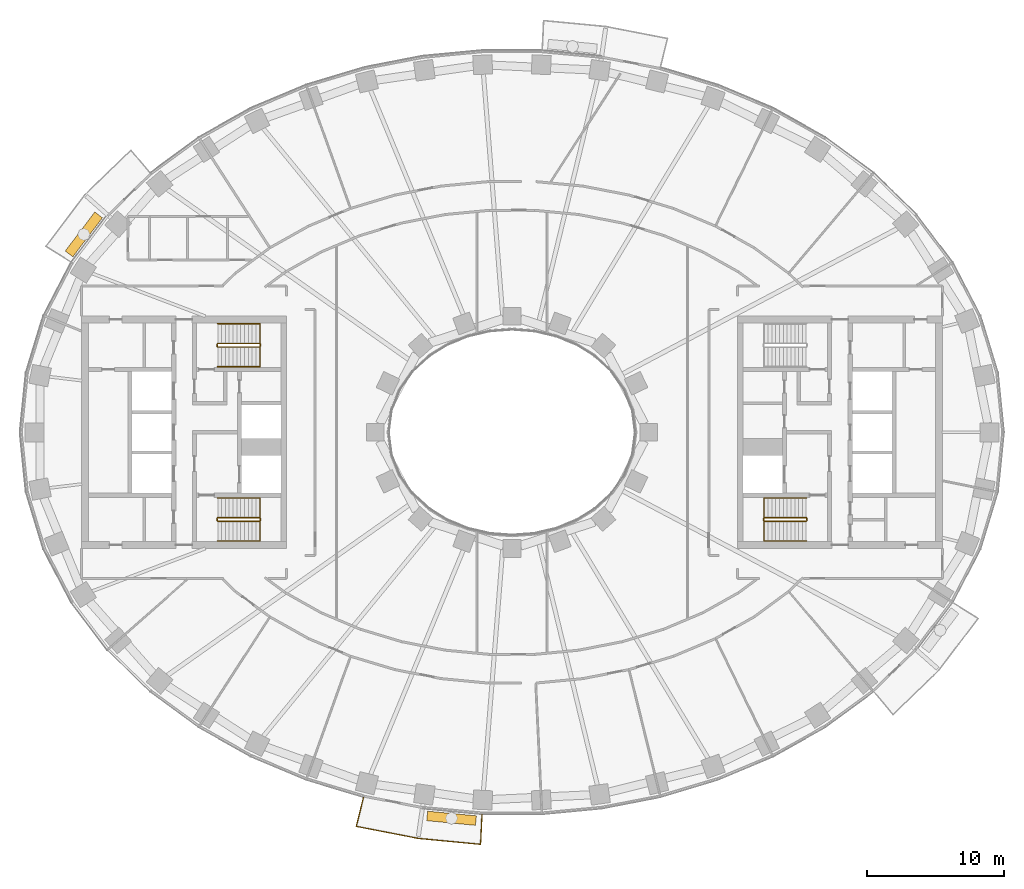
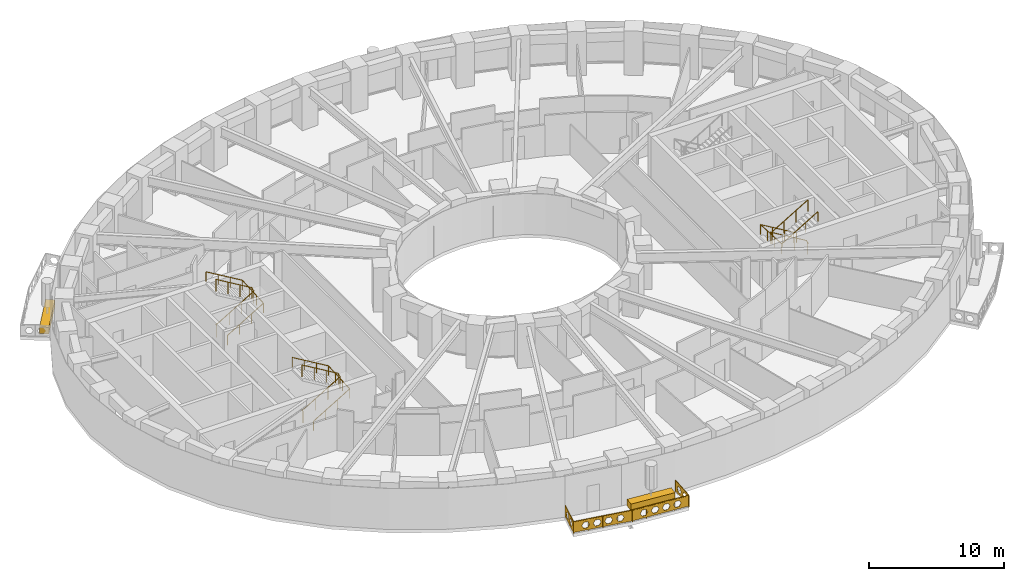
# One storey, part 14 of 16: 7 railings, 2 coverings.
"""IFC4 building model written with IfcOpenShell, lengths in metres."""

from ifc_helpers import new_model, si_unit, direction, frame, origin, origin_2d, place, context, subcontext, project, spatial, polyline, rectangle, outline, extrude, material, type_object, element, save


model = new_model("IFC4")

# Units and contexts
model_context = context("Model", 3, precision=1e-05, world=origin(), true_north=direction((0.0, 1.0)))
body_context = subcontext(model_context, "Body", "Model", "MODEL_VIEW")
ifc_project = project(units=[si_unit("LENGTHUNIT", "METRE"), si_unit("AREAUNIT", "SQUARE_METRE"), si_unit("VOLUMEUNIT", "CUBIC_METRE"), si_unit("PLANEANGLEUNIT", "RADIAN"), si_unit("MASSUNIT", "GRAM", prefix="KILO")], contexts=[model_context])

# Site, building, storey
site_placement = place(None, origin())
site = spatial("IfcSite", under=ifc_project, at=site_placement, CompositionType="ELEMENT")
building_placement = place(site_placement, origin())
building = spatial("IfcBuilding", under=site, at=building_placement, Name="Noorbagh Ring Tower", CompositionType="ELEMENT")
storey_placement = place(building_placement, frame((0.0, 0.0, 70.5)))
storey = spatial("IfcBuildingStorey", under=building, at=storey_placement, Name="L15", CompositionType="ELEMENT", Elevation=70.5)

# Railings
ifc_material_1 = material(Name="Stainless steel", Category="steel")
railing_type_1 = type_object("IfcRailingType", Name="CORE-STAIR-GUARD", PredefinedType="GUARDRAIL", material=ifc_material_1)
railing_1_placement = place(storey_placement, frame((-21.580078125, 6.300048828125, 0.0)))
element("IfcRailing", 1, at=railing_1_placement, inside=storey, type_object=railing_type_1, Name="L15 ST1 stair guard", PredefinedType="GUARDRAIL", context=body_context, shape_type="SweptSolid", body=[
    extrude(rectangle(XDim=0.048095703125, YDim=0.048095703125, at=origin_2d()), frame((0.0, 0.0, 1.076171875), z_axis=(0.0, 1.0, 0.0), x_axis=(-1.0, 0.0, 0.0)), (0.0, 0.0, 1.0), 0.14990234375),
    extrude(rectangle(XDim=0.048095703125, YDim=0.048095703125, at=origin_2d()), frame((0.0, 0.14990234375, 1.076171875), z_axis=(0.188775798145, -0.754182335027, 0.628945707965), x_axis=(0.970072785993, 0.242814311512, 0.0)), (0.0, 0.0, 1.0), 0.26513671875),
    extrude(rectangle(XDim=0.048095703125, YDim=0.048095703125, at=origin_2d()), frame((0.050048828125, -0.050048828125, 1.24267578125), z_axis=(0.859308565015, 0.0, 0.511457515432), x_axis=(0.0, 1.0, 0.0)), (0.0, 0.0, 1.0), 3.58447265625),
    extrude(rectangle(XDim=0.048095703125, YDim=0.048095703125, at=origin_2d()), frame((3.130126953125, -0.050048828125, 3.076171875), z_axis=(0.707106781187, 0.707106781187, 0.0), x_axis=(-0.707106781187, 0.707106781187, 0.0)), (0.0, 0.0, 1.0), 0.07080078125),
    extrude(rectangle(XDim=0.048095703125, YDim=0.048095703125, at=origin_2d()), frame((3.18017578125, 0.0, 3.076171875), z_axis=(0.0, 1.0, 0.0), x_axis=(-1.0, 0.0, 0.0)), (0.0, 0.0, 1.0), 0.14990234375),
    extrude(rectangle(XDim=0.048095703125, YDim=0.048095703125, at=origin_2d()), frame((3.18017578125, 0.14990234375, 3.076171875), z_axis=(-0.27628659633, 0.27628659633, 0.920506074601), x_axis=(-0.707106781187, -0.707106781187, 0.0)), (0.0, 0.0, 1.0), 0.18115234375),
    extrude(rectangle(XDim=0.048095703125, YDim=0.048095703125, at=origin_2d()), frame((3.130126953125, 0.199951171875, 3.24267578125), z_axis=(-0.859308565015, 0.0, 0.511457515432), x_axis=(0.0, -1.0, 0.0)), (0.0, 0.0, 1.0), 3.58447265625),
    extrude(rectangle(XDim=0.0419921875, YDim=0.0419921875, at=origin_2d()), origin(), (0.0, 0.0, 1.0), 1.052001953125),
    extrude(rectangle(XDim=0.0419921875, YDim=0.0419921875, at=origin_2d()), frame((1.07666015625, -0.050048828125, 0.77783203125)), (0.0, 0.0, 1.0), 1.052001953125),
    extrude(rectangle(XDim=0.0419921875, YDim=0.0419921875, at=origin_2d()), frame((2.103515625, -0.050048828125, 1.388916015625)), (0.0, 0.0, 1.0), 1.052001953125),
    extrude(rectangle(XDim=0.0419921875, YDim=0.0419921875, at=origin_2d()), frame((3.130126953125, -0.050048828125, 2.0)), (0.0, 0.0, 1.0), 1.052001953125),
    extrude(rectangle(XDim=0.0419921875, YDim=0.0419921875, at=origin_2d()), frame((3.130126953125, 0.199951171875, 2.166748046875)), (0.0, 0.0, 1.0), 1.052001953125),
    extrude(rectangle(XDim=0.0419921875, YDim=0.0419921875, at=origin_2d()), frame((2.103515625, 0.199951171875, 2.77783203125)), (0.0, 0.0, 1.0), 1.052001953125),
    extrude(rectangle(XDim=0.0419921875, YDim=0.0419921875, at=origin_2d()), frame((1.07666015625, 0.199951171875, 3.388916015625)), (0.0, 0.0, 1.0), 1.052001953125),
    extrude(rectangle(XDim=0.0419921875, YDim=0.0419921875, at=origin_2d()), frame((0.050048828125, 0.199951171875, 4.0)), (0.0, 0.0, 1.0), 1.052001953125),
])
railing_2_placement = place(storey_placement, frame((-21.580078125, -6.449951171875, 0.0)))
element("IfcRailing", 2, at=railing_2_placement, inside=storey, type_object=railing_type_1, Name="L15 ST2 stair guard", PredefinedType="GUARDRAIL", context=body_context, shape_type="SweptSolid", body=[
    extrude(rectangle(XDim=0.048095703125, YDim=0.048095703125, at=origin_2d()), frame((0.0, 0.0, 1.076171875), z_axis=(0.0, 1.0, 0.0), x_axis=(-1.0, 0.0, 0.0)), (0.0, 0.0, 1.0), 0.14990234375),
    extrude(rectangle(XDim=0.048095703125, YDim=0.048095703125, at=origin_2d()), frame((0.0, 0.14990234375, 1.076171875), z_axis=(0.188775798145, -0.754182335027, 0.628945707965), x_axis=(0.970072785993, 0.242814311512, 0.0)), (0.0, 0.0, 1.0), 0.26513671875),
    extrude(rectangle(XDim=0.048095703125, YDim=0.048095703125, at=origin_2d()), frame((0.050048828125, -0.050048828125, 1.24267578125), z_axis=(0.859308565015, 0.0, 0.511457515432), x_axis=(0.0, 1.0, 0.0)), (0.0, 0.0, 1.0), 3.58447265625),
    extrude(rectangle(XDim=0.048095703125, YDim=0.048095703125, at=origin_2d()), frame((3.130126953125, -0.050048828125, 3.076171875), z_axis=(0.707106781187, 0.707106781187, 0.0), x_axis=(-0.707106781187, 0.707106781187, 0.0)), (0.0, 0.0, 1.0), 0.07080078125),
    extrude(rectangle(XDim=0.048095703125, YDim=0.048095703125, at=origin_2d()), frame((3.18017578125, 0.0, 3.076171875), z_axis=(0.0, 1.0, 0.0), x_axis=(-1.0, 0.0, 0.0)), (0.0, 0.0, 1.0), 0.14990234375),
    extrude(rectangle(XDim=0.048095703125, YDim=0.048095703125, at=origin_2d()), frame((3.18017578125, 0.14990234375, 3.076171875), z_axis=(-0.27628659633, 0.27628659633, 0.920506074601), x_axis=(-0.707106781187, -0.707106781187, 0.0)), (0.0, 0.0, 1.0), 0.18115234375),
    extrude(rectangle(XDim=0.048095703125, YDim=0.048095703125, at=origin_2d()), frame((3.130126953125, 0.199951171875, 3.24267578125), z_axis=(-0.859308565015, 0.0, 0.511457515432), x_axis=(0.0, -1.0, 0.0)), (0.0, 0.0, 1.0), 3.58447265625),
    extrude(rectangle(XDim=0.0419921875, YDim=0.0419921875, at=origin_2d()), origin(), (0.0, 0.0, 1.0), 1.052001953125),
    extrude(rectangle(XDim=0.0419921875, YDim=0.0419921875, at=origin_2d()), frame((1.07666015625, -0.050048828125, 0.77783203125)), (0.0, 0.0, 1.0), 1.052001953125),
    extrude(rectangle(XDim=0.0419921875, YDim=0.0419921875, at=origin_2d()), frame((2.103515625, -0.050048828125, 1.388916015625)), (0.0, 0.0, 1.0), 1.052001953125),
    extrude(rectangle(XDim=0.0419921875, YDim=0.0419921875, at=origin_2d()), frame((3.130126953125, -0.050048828125, 2.0)), (0.0, 0.0, 1.0), 1.052001953125),
    extrude(rectangle(XDim=0.0419921875, YDim=0.0419921875, at=origin_2d()), frame((3.130126953125, 0.199951171875, 2.166748046875)), (0.0, 0.0, 1.0), 1.052001953125),
    extrude(rectangle(XDim=0.0419921875, YDim=0.0419921875, at=origin_2d()), frame((2.103515625, 0.199951171875, 2.77783203125)), (0.0, 0.0, 1.0), 1.052001953125),
    extrude(rectangle(XDim=0.0419921875, YDim=0.0419921875, at=origin_2d()), frame((1.07666015625, 0.199951171875, 3.388916015625)), (0.0, 0.0, 1.0), 1.052001953125),
    extrude(rectangle(XDim=0.0419921875, YDim=0.0419921875, at=origin_2d()), frame((0.050048828125, 0.199951171875, 4.0)), (0.0, 0.0, 1.0), 1.052001953125),
])
railing_3_placement = place(storey_placement, frame((21.580078125, -6.300048828125, 0.0)))
element("IfcRailing", 3, at=railing_3_placement, inside=storey, type_object=railing_type_1, Name="L15 ST4 stair guard", PredefinedType="GUARDRAIL", context=body_context, shape_type="SweptSolid", body=[
    extrude(rectangle(XDim=0.048095703125, YDim=0.048095703125, at=origin_2d()), frame((0.0, 0.0, 1.076171875), z_axis=(0.0, -1.0, 0.0), x_axis=(1.0, 0.0, 0.0)), (0.0, 0.0, 1.0), 0.14990234375),
    extrude(rectangle(XDim=0.048095703125, YDim=0.048095703125, at=origin_2d()), frame((0.0, -0.14990234375, 1.076171875), z_axis=(-0.188775798145, 0.754182335027, 0.628945707965), x_axis=(-0.970072785993, -0.242814311512, 0.0)), (0.0, 0.0, 1.0), 0.26513671875),
    extrude(rectangle(XDim=0.048095703125, YDim=0.048095703125, at=origin_2d()), frame((-0.050048828125, 0.050048828125, 1.24267578125), z_axis=(-0.859308565015, 0.0, 0.511457515432), x_axis=(0.0, -1.0, 0.0)), (0.0, 0.0, 1.0), 3.58447265625),
    extrude(rectangle(XDim=0.048095703125, YDim=0.048095703125, at=origin_2d()), frame((-3.130126953125, 0.050048828125, 3.076171875), z_axis=(-0.707106781187, -0.707106781187, 0.0), x_axis=(0.707106781187, -0.707106781187, 0.0)), (0.0, 0.0, 1.0), 0.07080078125),
    extrude(rectangle(XDim=0.048095703125, YDim=0.048095703125, at=origin_2d()), frame((-3.18017578125, 0.0, 3.076171875), z_axis=(0.0, -1.0, 0.0), x_axis=(1.0, 0.0, 0.0)), (0.0, 0.0, 1.0), 0.14990234375),
    extrude(rectangle(XDim=0.048095703125, YDim=0.048095703125, at=origin_2d()), frame((-3.18017578125, -0.14990234375, 3.076171875), z_axis=(0.27628659633, -0.27628659633, 0.920506074601), x_axis=(0.707106781187, 0.707106781187, 0.0)), (0.0, 0.0, 1.0), 0.18115234375),
    extrude(rectangle(XDim=0.048095703125, YDim=0.048095703125, at=origin_2d()), frame((-3.130126953125, -0.199951171875, 3.24267578125), z_axis=(0.859308565015, 0.0, 0.511457515432), x_axis=(0.0, 1.0, 0.0)), (0.0, 0.0, 1.0), 3.58447265625),
    extrude(rectangle(XDim=0.0419921875, YDim=0.0419921875, at=origin_2d()), origin(), (0.0, 0.0, 1.0), 1.052001953125),
    extrude(rectangle(XDim=0.0419921875, YDim=0.0419921875, at=origin_2d()), frame((-1.07666015625, 0.050048828125, 0.77783203125)), (0.0, 0.0, 1.0), 1.052001953125),
    extrude(rectangle(XDim=0.0419921875, YDim=0.0419921875, at=origin_2d()), frame((-2.103515625, 0.050048828125, 1.388916015625)), (0.0, 0.0, 1.0), 1.052001953125),
    extrude(rectangle(XDim=0.0419921875, YDim=0.0419921875, at=origin_2d()), frame((-3.130126953125, 0.050048828125, 2.0)), (0.0, 0.0, 1.0), 1.052001953125),
    extrude(rectangle(XDim=0.0419921875, YDim=0.0419921875, at=origin_2d()), frame((-3.130126953125, -0.199951171875, 2.166748046875)), (0.0, 0.0, 1.0), 1.052001953125),
    extrude(rectangle(XDim=0.0419921875, YDim=0.0419921875, at=origin_2d()), frame((-2.103515625, -0.199951171875, 2.77783203125)), (0.0, 0.0, 1.0), 1.052001953125),
    extrude(rectangle(XDim=0.0419921875, YDim=0.0419921875, at=origin_2d()), frame((-1.07666015625, -0.199951171875, 3.388916015625)), (0.0, 0.0, 1.0), 1.052001953125),
    extrude(rectangle(XDim=0.0419921875, YDim=0.0419921875, at=origin_2d()), frame((-0.050048828125, -0.199951171875, 4.0)), (0.0, 0.0, 1.0), 1.052001953125),
])
ifc_material_2 = material(Name="Stainless steel", Category="steel")
railing_type_2 = type_object("IfcRailingType", Name="CORE-STAIR-HANDRAIL", PredefinedType="HANDRAIL", material=ifc_material_2)
railing_4_placement = place(storey_placement, frame((-21.530029296875, 4.800048828125, 0.166748046875)))
element("IfcRailing", 4, at=railing_4_placement, inside=storey, type_object=railing_type_2, Name="L15 ST1 stair handrail", PredefinedType="HANDRAIL", context=body_context, shape_type="SweptSolid", body=[
    extrude(rectangle(XDim=0.048095703125, YDim=0.048095703125, at=origin_2d()), frame((0.0, 0.0, 0.8759765625), z_axis=(0.859308565015, 0.0, 0.511457515432), x_axis=(0.0, 1.0, 0.0)), (0.0, 0.0, 1.0), 3.58447265625),
    extrude(rectangle(XDim=0.048095703125, YDim=0.048095703125, at=origin_2d()), frame((3.080078125, 0.0, 2.708984375), z_axis=(0.0, 0.998601747152, 0.052863509014), x_axis=(-1.0, 0.0, 0.0)), (0.0, 0.0, 1.0), 3.154296875),
    extrude(rectangle(XDim=0.048095703125, YDim=0.048095703125, at=origin_2d()), frame((3.080078125, 3.14990234375, 2.8759765625), z_axis=(-0.859308565015, 0.0, 0.511457515432), x_axis=(0.0, -1.0, 0.0)), (0.0, 0.0, 1.0), 3.58447265625),
    extrude(rectangle(XDim=0.0419921875, YDim=0.0419921875, at=origin_2d()), origin(), (0.0, 0.0, 1.0), 0.851806640625),
    extrude(rectangle(XDim=0.0419921875, YDim=0.0419921875, at=origin_2d()), frame((1.026611328125, 0.0, 0.611083984375)), (0.0, 0.0, 1.0), 0.851806640625),
    extrude(rectangle(XDim=0.0419921875, YDim=0.0419921875, at=origin_2d()), frame((2.053466796875, 0.0, 1.22216796875)), (0.0, 0.0, 1.0), 0.851806640625),
    extrude(rectangle(XDim=0.0419921875, YDim=0.0419921875, at=origin_2d()), frame((3.080078125, 0.0, 1.833251953125)), (0.0, 0.0, 1.0), 0.851806640625),
    extrude(rectangle(XDim=0.0419921875, YDim=0.0419921875, at=origin_2d()), frame((3.080078125, 1.050048828125, 1.888916015625)), (0.0, 0.0, 1.0), 0.851806640625),
    extrude(rectangle(XDim=0.0419921875, YDim=0.0419921875, at=origin_2d()), frame((3.080078125, 2.099853515625, 1.9443359375)), (0.0, 0.0, 1.0), 0.851806640625),
    extrude(rectangle(XDim=0.0419921875, YDim=0.0419921875, at=origin_2d()), frame((3.080078125, 3.14990234375, 2.0)), (0.0, 0.0, 1.0), 0.851806640625),
    extrude(rectangle(XDim=0.0419921875, YDim=0.0419921875, at=origin_2d()), frame((2.053466796875, 3.14990234375, 2.611083984375)), (0.0, 0.0, 1.0), 0.851806640625),
    extrude(rectangle(XDim=0.0419921875, YDim=0.0419921875, at=origin_2d()), frame((1.026611328125, 3.14990234375, 3.22216796875)), (0.0, 0.0, 1.0), 0.851806640625),
    extrude(rectangle(XDim=0.0419921875, YDim=0.0419921875, at=origin_2d()), frame((0.0, 3.14990234375, 3.833251953125)), (0.0, 0.0, 1.0), 0.851806640625),
])
railing_5_placement = place(storey_placement, frame((-21.530029296875, -7.949951171875, 0.166748046875)))
element("IfcRailing", 5, at=railing_5_placement, inside=storey, type_object=railing_type_2, Name="L15 ST2 stair handrail", PredefinedType="HANDRAIL", context=body_context, shape_type="SweptSolid", body=[
    extrude(rectangle(XDim=0.048095703125, YDim=0.048095703125, at=origin_2d()), frame((0.0, 0.0, 0.8759765625), z_axis=(0.859308565015, 0.0, 0.511457515432), x_axis=(0.0, 1.0, 0.0)), (0.0, 0.0, 1.0), 3.58447265625),
    extrude(rectangle(XDim=0.048095703125, YDim=0.048095703125, at=origin_2d()), frame((3.080078125, 0.0, 2.708984375), z_axis=(0.0, 0.998601747152, 0.052863509014), x_axis=(-1.0, 0.0, 0.0)), (0.0, 0.0, 1.0), 3.154296875),
    extrude(rectangle(XDim=0.048095703125, YDim=0.048095703125, at=origin_2d()), frame((3.080078125, 3.14990234375, 2.8759765625), z_axis=(-0.859308565015, 0.0, 0.511457515432), x_axis=(0.0, -1.0, 0.0)), (0.0, 0.0, 1.0), 3.58447265625),
    extrude(rectangle(XDim=0.0419921875, YDim=0.0419921875, at=origin_2d()), origin(), (0.0, 0.0, 1.0), 0.851806640625),
    extrude(rectangle(XDim=0.0419921875, YDim=0.0419921875, at=origin_2d()), frame((1.026611328125, 0.0, 0.611083984375)), (0.0, 0.0, 1.0), 0.851806640625),
    extrude(rectangle(XDim=0.0419921875, YDim=0.0419921875, at=origin_2d()), frame((2.053466796875, 0.0, 1.22216796875)), (0.0, 0.0, 1.0), 0.851806640625),
    extrude(rectangle(XDim=0.0419921875, YDim=0.0419921875, at=origin_2d()), frame((3.080078125, 0.0, 1.833251953125)), (0.0, 0.0, 1.0), 0.851806640625),
    extrude(rectangle(XDim=0.0419921875, YDim=0.0419921875, at=origin_2d()), frame((3.080078125, 1.050048828125, 1.888916015625)), (0.0, 0.0, 1.0), 0.851806640625),
    extrude(rectangle(XDim=0.0419921875, YDim=0.0419921875, at=origin_2d()), frame((3.080078125, 2.099853515625, 1.9443359375)), (0.0, 0.0, 1.0), 0.851806640625),
    extrude(rectangle(XDim=0.0419921875, YDim=0.0419921875, at=origin_2d()), frame((3.080078125, 3.14990234375, 2.0)), (0.0, 0.0, 1.0), 0.851806640625),
    extrude(rectangle(XDim=0.0419921875, YDim=0.0419921875, at=origin_2d()), frame((2.053466796875, 3.14990234375, 2.611083984375)), (0.0, 0.0, 1.0), 0.851806640625),
    extrude(rectangle(XDim=0.0419921875, YDim=0.0419921875, at=origin_2d()), frame((1.026611328125, 3.14990234375, 3.22216796875)), (0.0, 0.0, 1.0), 0.851806640625),
    extrude(rectangle(XDim=0.0419921875, YDim=0.0419921875, at=origin_2d()), frame((0.0, 3.14990234375, 3.833251953125)), (0.0, 0.0, 1.0), 0.851806640625),
])
railing_6_placement = place(storey_placement, frame((21.530029296875, -4.800048828125, 0.166748046875)))
element("IfcRailing", 6, at=railing_6_placement, inside=storey, type_object=railing_type_2, Name="L15 ST4 stair handrail", PredefinedType="HANDRAIL", context=body_context, shape_type="SweptSolid", body=[
    extrude(rectangle(XDim=0.048095703125, YDim=0.048095703125, at=origin_2d()), frame((0.0, 0.0, 0.8759765625), z_axis=(-0.859308565015, 0.0, 0.511457515432), x_axis=(0.0, -1.0, 0.0)), (0.0, 0.0, 1.0), 3.58447265625),
    extrude(rectangle(XDim=0.048095703125, YDim=0.048095703125, at=origin_2d()), frame((-3.080078125, 0.0, 2.708984375), z_axis=(0.0, -0.998601747152, 0.052863509014), x_axis=(1.0, 0.0, 0.0)), (0.0, 0.0, 1.0), 3.154296875),
    extrude(rectangle(XDim=0.048095703125, YDim=0.048095703125, at=origin_2d()), frame((-3.080078125, -3.14990234375, 2.8759765625), z_axis=(0.859308565015, 0.0, 0.511457515432), x_axis=(0.0, 1.0, 0.0)), (0.0, 0.0, 1.0), 3.58447265625),
    extrude(rectangle(XDim=0.0419921875, YDim=0.0419921875, at=origin_2d()), origin(), (0.0, 0.0, 1.0), 0.851806640625),
    extrude(rectangle(XDim=0.0419921875, YDim=0.0419921875, at=origin_2d()), frame((-1.026611328125, 0.0, 0.611083984375)), (0.0, 0.0, 1.0), 0.851806640625),
    extrude(rectangle(XDim=0.0419921875, YDim=0.0419921875, at=origin_2d()), frame((-2.053466796875, 0.0, 1.22216796875)), (0.0, 0.0, 1.0), 0.851806640625),
    extrude(rectangle(XDim=0.0419921875, YDim=0.0419921875, at=origin_2d()), frame((-3.080078125, 0.0, 1.833251953125)), (0.0, 0.0, 1.0), 0.851806640625),
    extrude(rectangle(XDim=0.0419921875, YDim=0.0419921875, at=origin_2d()), frame((-3.080078125, -1.050048828125, 1.888916015625)), (0.0, 0.0, 1.0), 0.851806640625),
    extrude(rectangle(XDim=0.0419921875, YDim=0.0419921875, at=origin_2d()), frame((-3.080078125, -2.099853515625, 1.9443359375)), (0.0, 0.0, 1.0), 0.851806640625),
    extrude(rectangle(XDim=0.0419921875, YDim=0.0419921875, at=origin_2d()), frame((-3.080078125, -3.14990234375, 2.0)), (0.0, 0.0, 1.0), 0.851806640625),
    extrude(rectangle(XDim=0.0419921875, YDim=0.0419921875, at=origin_2d()), frame((-2.053466796875, -3.14990234375, 2.611083984375)), (0.0, 0.0, 1.0), 0.851806640625),
    extrude(rectangle(XDim=0.0419921875, YDim=0.0419921875, at=origin_2d()), frame((-1.026611328125, -3.14990234375, 3.22216796875)), (0.0, 0.0, 1.0), 0.851806640625),
    extrude(rectangle(XDim=0.0419921875, YDim=0.0419921875, at=origin_2d()), frame((0.0, -3.14990234375, 3.833251953125)), (0.0, 0.0, 1.0), 0.851806640625),
])
ifc_material_3 = material(Name="Steel S275 black powder-coated", Category="steel")
railing_type_3 = type_object("IfcRailingType", Name="ENV-GUARD", PredefinedType="GUARDRAIL", material=ifc_material_3)
railing_7_placement = place(storey_placement, frame((-10.865234375, -26.6943359375, 0.0)))
element("IfcRailing", 7, at=railing_7_placement, inside=storey, type_object=railing_type_3, Name="Balcony guard BS03", PredefinedType="GUARDRAIL", context=body_context, shape_type="SweptSolid", body=[
    extrude(rectangle(XDim=0.048095703125, YDim=0.048095703125, at=origin_2d()), frame((0.0, 0.0, 1.076171875), z_axis=(-0.239848558412, -0.970810315679, 0.0), x_axis=(0.970810315679, -0.239848558412, 0.0)), (0.0, 0.0, 1.0), 2.20263671875),
    extrude(rectangle(XDim=0.048095703125, YDim=0.048095703125, at=origin_2d()), frame((-0.5283203125, -2.138427734375, 1.076171875), z_axis=(0.981625049064, -0.1908199755, 0.0), x_axis=(0.1908199755, 0.981625049064, 0.0)), (0.0, 0.0, 1.0), 4.603271484375),
    extrude(rectangle(XDim=0.048095703125, YDim=0.048095703125, at=origin_2d()), frame((3.990478515625, -3.016845703125, 1.076171875), z_axis=(0.995477555764, -0.094997031379, 0.0), x_axis=(0.094997031379, 0.995477555764, 0.0)), (0.0, 0.0, 1.0), 4.59765625),
    extrude(rectangle(XDim=0.048095703125, YDim=0.048095703125, at=origin_2d()), frame((8.5673828125, -3.45361328125, 1.076171875), z_axis=(0.047554616162, 0.998868639252, 0.0), x_axis=(-0.998868639252, 0.047554616162, 0.0)), (0.0, 0.0, 1.0), 2.202392578125),
    extrude(rectangle(XDim=0.0419921875, YDim=0.0419921875, at=origin_2d()), origin(), (0.0, 0.0, 1.0), 1.052001953125),
    extrude(rectangle(XDim=0.0419921875, YDim=0.0419921875, at=origin_2d()), frame((-0.26416015625, -1.0693359375, 0.0)), (0.0, 0.0, 1.0), 1.052001953125),
    extrude(rectangle(XDim=0.0419921875, YDim=0.0419921875, at=origin_2d()), frame((-0.5283203125, -2.138427734375, 0.0)), (0.0, 0.0, 1.0), 1.052001953125),
    extrude(rectangle(XDim=0.0419921875, YDim=0.0419921875, at=origin_2d()), frame((0.601318359375, -2.35791015625, 0.0)), (0.0, 0.0, 1.0), 1.052001953125),
    extrude(rectangle(XDim=0.0419921875, YDim=0.0419921875, at=origin_2d()), frame((1.73095703125, -2.57763671875, 0.0)), (0.0, 0.0, 1.0), 1.052001953125),
    extrude(rectangle(XDim=0.0419921875, YDim=0.0419921875, at=origin_2d()), frame((2.86083984375, -2.79736328125, 0.0)), (0.0, 0.0, 1.0), 1.052001953125),
    extrude(rectangle(XDim=0.0419921875, YDim=0.0419921875, at=origin_2d()), frame((3.990478515625, -3.016845703125, 0.0)), (0.0, 0.0, 1.0), 1.052001953125),
    extrude(rectangle(XDim=0.0419921875, YDim=0.0419921875, at=origin_2d()), frame((5.134765625, -3.1259765625, 0.0)), (0.0, 0.0, 1.0), 1.052001953125),
    extrude(rectangle(XDim=0.0419921875, YDim=0.0419921875, at=origin_2d()), frame((6.27880859375, -3.2353515625, 0.0)), (0.0, 0.0, 1.0), 1.052001953125),
    extrude(rectangle(XDim=0.0419921875, YDim=0.0419921875, at=origin_2d()), frame((7.423095703125, -3.344482421875, 0.0)), (0.0, 0.0, 1.0), 1.052001953125),
    extrude(rectangle(XDim=0.0419921875, YDim=0.0419921875, at=origin_2d()), frame((8.5673828125, -3.45361328125, 0.0)), (0.0, 0.0, 1.0), 1.052001953125),
    extrude(rectangle(XDim=0.0419921875, YDim=0.0419921875, at=origin_2d()), frame((8.61962890625, -2.353515625, 0.0)), (0.0, 0.0, 1.0), 1.052001953125),
    extrude(rectangle(XDim=0.0419921875, YDim=0.0419921875, at=origin_2d()), frame((8.672119140625, -1.253662109375, 0.0)), (0.0, 0.0, 1.0), 1.052001953125),
    extrude(outline(polyline([(0.0, 0.10009765625), (2.20263671875, 0.10009765625), (2.20263671875, 1.031982421875), (0.0, 1.031982421875), (0.0, 0.10009765625)]), holes=[polyline([(0.96142578125, 0.56591796875), (0.806396484375, 0.83447265625), (0.496337890625, 0.83447265625), (0.34130859375, 0.56591796875), (0.496337890625, 0.297607421875), (0.806396484375, 0.297607421875), (0.96142578125, 0.56591796875)]), polyline([(1.861328125, 0.56591796875), (1.706298828125, 0.83447265625), (1.396240234375, 0.83447265625), (1.241455078125, 0.56591796875), (1.396240234375, 0.297607421875), (1.706298828125, 0.297607421875), (1.861328125, 0.56591796875)])]), frame((0.009765625, -0.00244140625, 0.0), z_axis=(-0.970810315679, 0.239848558412, 0.0), x_axis=(-0.239848558412, -0.970810315679, 0.0)), (0.0, 0.0, 1.0), 0.02001953125),
    extrude(outline(polyline([(0.0, 0.10009765625), (4.603271484375, 0.10009765625), (4.603271484375, 1.031982421875), (0.0, 1.031982421875), (0.0, 0.10009765625)]), holes=[polyline([(1.26171875, 0.56591796875), (1.106689453125, 0.83447265625), (0.796630859375, 0.83447265625), (0.6416015625, 0.56591796875), (0.796630859375, 0.297607421875), (1.106689453125, 0.297607421875), (1.26171875, 0.56591796875)]), polyline([(2.16162109375, 0.56591796875), (2.006591796875, 0.83447265625), (1.69677734375, 0.83447265625), (1.541748046875, 0.56591796875), (1.69677734375, 0.297607421875), (2.006591796875, 0.297607421875), (2.16162109375, 0.56591796875)]), polyline([(3.061767578125, 0.56591796875), (2.90673828125, 0.83447265625), (2.5966796875, 0.83447265625), (2.441650390625, 0.56591796875), (2.5966796875, 0.297607421875), (2.90673828125, 0.297607421875), (3.061767578125, 0.56591796875)]), polyline([(3.961669921875, 0.56591796875), (3.806640625, 0.83447265625), (3.49658203125, 0.83447265625), (3.341796875, 0.56591796875), (3.49658203125, 0.297607421875), (3.806640625, 0.297607421875), (3.961669921875, 0.56591796875)])]), frame((-0.5263671875, -2.128662109375, 0.0), z_axis=(-0.1908199755, -0.981625049064, 0.0), x_axis=(0.981625049064, -0.1908199755, 0.0)), (0.0, 0.0, 1.0), 0.02001953125),
    extrude(outline(polyline([(0.0, 0.10009765625), (4.59765625, 0.10009765625), (4.59765625, 1.031982421875), (0.0, 1.031982421875), (0.0, 0.10009765625)]), holes=[polyline([(1.2587890625, 0.56591796875), (1.103759765625, 0.83447265625), (0.7939453125, 0.83447265625), (0.638916015625, 0.56591796875), (0.7939453125, 0.297607421875), (1.103759765625, 0.297607421875), (1.2587890625, 0.56591796875)]), polyline([(2.158935546875, 0.56591796875), (2.00390625, 0.83447265625), (1.69384765625, 0.83447265625), (1.538818359375, 0.56591796875), (1.69384765625, 0.297607421875), (2.00390625, 0.297607421875), (2.158935546875, 0.56591796875)]), polyline([(3.058837890625, 0.56591796875), (2.90380859375, 0.83447265625), (2.59375, 0.83447265625), (2.43896484375, 0.56591796875), (2.59375, 0.297607421875), (2.90380859375, 0.297607421875), (3.058837890625, 0.56591796875)]), polyline([(3.958740234375, 0.56591796875), (3.803955078125, 0.83447265625), (3.493896484375, 0.83447265625), (3.3388671875, 0.56591796875), (3.493896484375, 0.297607421875), (3.803955078125, 0.297607421875), (3.958740234375, 0.56591796875)])]), frame((3.991455078125, -3.0068359375, 0.0), z_axis=(-0.094997031379, -0.995477555764, 0.0), x_axis=(0.995477555764, -0.094997031379, 0.0)), (0.0, 0.0, 1.0), 0.02001953125),
    extrude(outline(polyline([(0.0, 0.10009765625), (2.202392578125, 0.10009765625), (2.202392578125, 1.031982421875), (0.0, 1.031982421875), (0.0, 0.10009765625)]), holes=[polyline([(0.961181640625, 0.56591796875), (0.80615234375, 0.83447265625), (0.496337890625, 0.83447265625), (0.34130859375, 0.56591796875), (0.496337890625, 0.297607421875), (0.80615234375, 0.297607421875), (0.961181640625, 0.56591796875)]), polyline([(1.861328125, 0.56591796875), (1.706298828125, 0.83447265625), (1.396240234375, 0.83447265625), (1.2412109375, 0.56591796875), (1.396240234375, 0.297607421875), (1.706298828125, 0.297607421875), (1.861328125, 0.56591796875)])]), frame((8.557373046875, -3.453125, 0.0), z_axis=(0.998868639252, -0.047554616162, 0.0), x_axis=(0.047554616162, 0.998868639252, 0.0)), (0.0, 0.0, 1.0), 0.02001953125),
])

# Coverings
ifc_material_4 = material(Name="Concrete C30/37 planter with soil", Category="concrete")
covering_type = type_object("IfcCoveringType", Name="ENV-PLANTER", PredefinedType="CLADDING", material=ifc_material_4)
covering_1_placement = place(storey_placement, frame((-31.329833984375, 14.4833984375, 0.0), z_axis=(0.0, 0.0, 1.0), x_axis=(-0.604020184358, -0.796969018776, 0.0)))
element("IfcCovering", 8, at=covering_1_placement, inside=storey, type_object=covering_type, Name="PLANTER BN06", ObjectType="PLANTER", PredefinedType="CLADDING", context=body_context, shape_type="SweptSolid", body=[
    extrude(rectangle(XDim=3.583251953125, YDim=0.699951171875, at=origin_2d()), origin(), (0.0, 0.0, 1.0), 0.60009765625),
])
covering_2_placement = place(storey_placement, frame((-4.423828125, -28.2373046875, 0.0), z_axis=(0.0, 0.0, 1.0), x_axis=(0.995476497323, -0.095008122171, 0.0)))
element("IfcCovering", 9, at=covering_2_placement, inside=storey, type_object=covering_type, Name="PLANTER BS03", ObjectType="PLANTER", PredefinedType="CLADDING", context=body_context, shape_type="SweptSolid", body=[
    extrude(rectangle(XDim=3.58642578125, YDim=0.699951171875, at=origin_2d()), origin(), (0.0, 0.0, 1.0), 0.60009765625),
])

save(model, "model.ifc")
